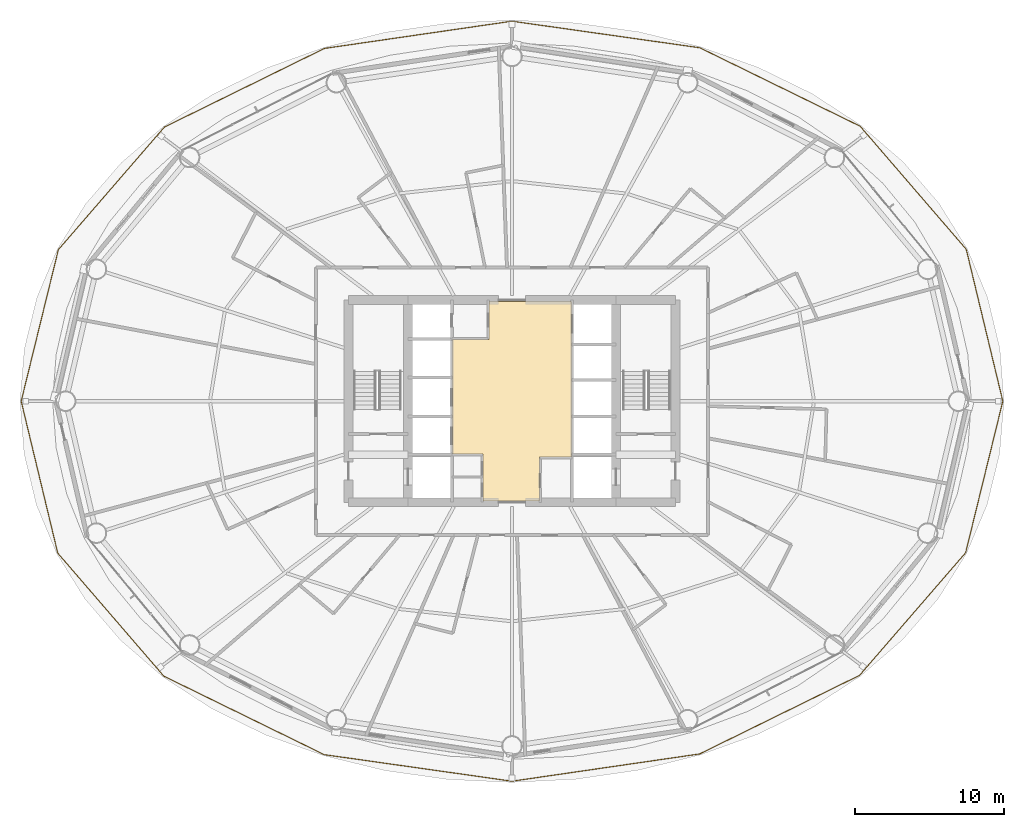
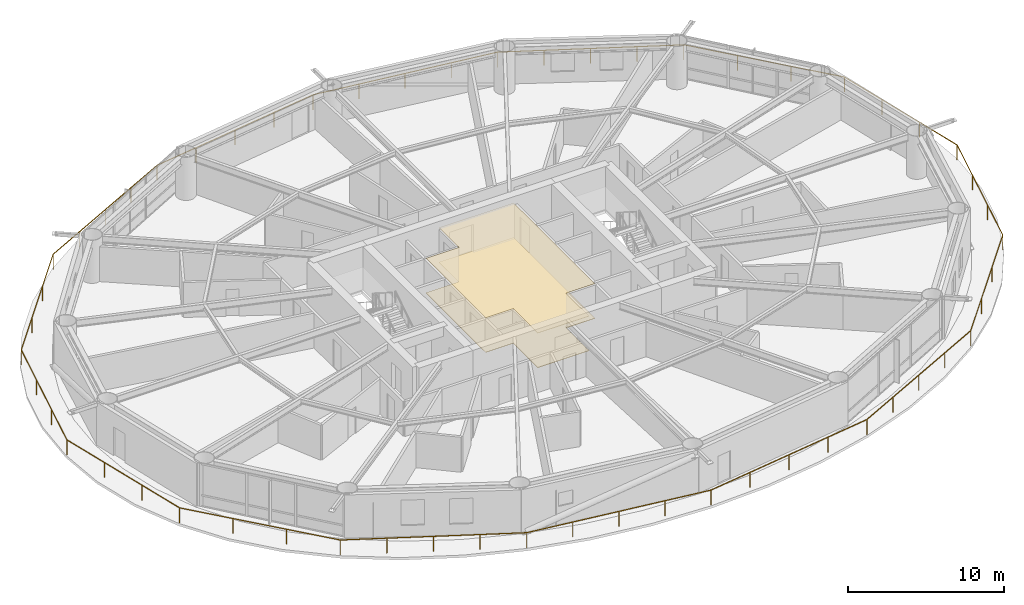
# One storey, part 25 of 26: 2 coverings, 1 railing.
"""IFC4 building model written with IfcOpenShell, lengths in metres."""

from ifc_helpers import new_model, si_unit, direction, frame, origin, origin_2d, place, context, subcontext, project, spatial, polyline, rectangle, outline, extrude, material, layer, layer_set, type_object, element, save


model = new_model("IFC4")

# Units and contexts
model_context = context("Model", 3, precision=1e-05, world=origin(), true_north=direction((0.0, 1.0)))
body_context = subcontext(model_context, "Body", "Model", "MODEL_VIEW")
ifc_project = project(units=[si_unit("LENGTHUNIT", "METRE"), si_unit("AREAUNIT", "SQUARE_METRE"), si_unit("VOLUMEUNIT", "CUBIC_METRE"), si_unit("PLANEANGLEUNIT", "RADIAN"), si_unit("MASSUNIT", "GRAM", prefix="KILO")], contexts=[model_context])

# Site, building, storey
site_placement = place(None, origin())
site = spatial("IfcSite", under=ifc_project, at=site_placement, CompositionType="ELEMENT")
building_placement = place(site_placement, origin())
building = spatial("IfcBuilding", under=site, at=building_placement, Name="Sarneth Arch Tower", CompositionType="ELEMENT")
storey_placement = place(building_placement, frame((0.0, 0.0, 39.0)))
storey = spatial("IfcBuildingStorey", under=building, at=storey_placement, Name="L08", CompositionType="ELEMENT", Elevation=39.0)

# Coverings
ifc_material_1 = material(Name="Perforated acoustic gypsum ceiling board")
ifc_layer_1 = layer(ifc_material_1, 0.02490234375)
ifc_layer_set_1 = layer_set([ifc_layer_1], Name="Perforated acoustic gypsum ceiling board")
covering_type_1 = type_object("IfcCoveringType", Name="COV-CEIL-GYP", PredefinedType="CEILING", material=ifc_layer_set_1)
covering_1_placement = place(storey_placement, frame((0.0, 0.0, 2.7099609375)))
element("IfcCovering", 1, at=covering_1_placement, inside=storey, type_object=covering_type_1, Name="L08 Lift lobby acoustic ceiling", PredefinedType="CEILING", context=body_context, shape_type="SweptSolid", body=[
    extrude(outline(polyline([(49.85009765625, 38.25), (49.85009765625, 35.300048828125), (46.050048828125, 35.300048828125), (46.050048828125, 38.449951171875), (44.0, 38.449951171875), (44.0, 46.14990234375), (46.449951171875, 46.14990234375), (46.449951171875, 48.699951171875), (52.0, 48.699951171875), (52.0, 38.25), (49.85009765625, 38.25)])), origin(), (0.0, 0.0, 1.0), 0.030029296875),
])
ifc_material_2 = material(Name="Honed granite stone flooring", Category="masonry")
ifc_layer_2 = layer(ifc_material_2, 0.030029296875)
ifc_layer_set_2 = layer_set([ifc_layer_2], Name="Honed granite stone flooring")
covering_type_2 = type_object("IfcCoveringType", Name="COV-FLR-STONE", PredefinedType="FLOORING", material=ifc_layer_set_2)
covering_2_placement = place(storey_placement, origin())
element("IfcCovering", 2, at=covering_2_placement, inside=storey, type_object=covering_type_2, Name="L08 Lift lobby granite flooring", PredefinedType="FLOORING", context=body_context, shape_type="SweptSolid", body=[
    extrude(outline(polyline([(49.85009765625, 38.25), (49.85009765625, 35.300048828125), (46.050048828125, 35.300048828125), (46.050048828125, 38.449951171875), (44.0, 38.449951171875), (44.0, 46.14990234375), (46.449951171875, 46.14990234375), (46.449951171875, 48.699951171875), (52.0, 48.699951171875), (52.0, 38.25), (49.85009765625, 38.25)])), origin(), (0.0, 0.0, 1.0), 0.030029296875),
])

# Railing
ifc_material_3 = material(Name="Laminated structural glass infill with Stainless Steel 316 top rail and posts", Category="steel")
railing_type = type_object("IfcRailingType", Name="RAIL-BALC-1200", PredefinedType="BALUSTRADE", material=ifc_material_3)
railing_placement = place(storey_placement, frame((81.02783203125, 42.0, 0.0)))
element("IfcRailing", 3, at=railing_placement, inside=storey, type_object=railing_type, Name="L08 Helical balcony glass balustrade", PredefinedType="BALUSTRADE", context=body_context, shape_type="SweptSolid", body=[
    extrude(rectangle(XDim=0.048095703125, YDim=0.048095703125, at=origin_2d()), frame((0.0, 0.0, 1.17578125), z_axis=(-0.233990419541, 0.972238902515, 0.0), x_axis=(-0.972238902515, -0.233990419541, 0.0)), (0.0, 0.0, 1.0), 10.511962890625),
    extrude(rectangle(XDim=0.048095703125, YDim=0.048095703125, at=origin_2d()), frame((-2.459716796875, 10.22021484375, 1.17578125), z_axis=(-0.652917980572, 0.757428617525, 0.0), x_axis=(-0.757428617525, -0.652917980572, 0.0)), (0.0, 0.0, 1.0), 10.93505859375),
    extrude(rectangle(XDim=0.048095703125, YDim=0.048095703125, at=origin_2d()), frame((-9.599365234375, 18.502685546875, 1.17578125), z_axis=(-0.89821928283, 0.439547631039, 0.0), x_axis=(-0.439547631039, -0.89821928283, 0.0)), (0.0, 0.0, 1.0), 12.012939453125),
    extrude(rectangle(XDim=0.048095703125, YDim=0.048095703125, at=origin_2d()), frame((-20.3896484375, 23.782958984375, 1.17578125), z_axis=(-0.990131141732, 0.140143933769, 0.0), x_axis=(-0.140143933769, -0.990131141732, 0.0)), (0.0, 0.0, 1.0), 12.76416015625),
    extrude(rectangle(XDim=0.048095703125, YDim=0.048095703125, at=origin_2d()), frame((-33.02783203125, 25.57177734375, 1.17578125), z_axis=(-0.989605563062, -0.143808308369, 0.0), x_axis=(0.143808308369, -0.989605563062, 0.0)), (0.0, 0.0, 1.0), 12.75634765625),
    extrude(rectangle(XDim=0.048095703125, YDim=0.048095703125, at=origin_2d()), frame((-45.651611328125, 23.7373046875, 1.17578125), z_axis=(-0.897500047726, -0.441014358418, 0.0), x_axis=(0.441014358418, -0.897500047726, 0.0)), (0.0, 0.0, 1.0), 11.992919921875),
    extrude(rectangle(XDim=0.048095703125, YDim=0.048095703125, at=origin_2d()), frame((-56.415283203125, 18.4482421875, 1.17578125), z_axis=(-0.654282010431, -0.756250653439, 0.0), x_axis=(0.756250653439, -0.654282010431, 0.0)), (0.0, 0.0, 1.0), 10.91064453125),
    extrude(rectangle(XDim=0.048095703125, YDim=0.048095703125, at=origin_2d()), frame((-63.553955078125, 10.197021484375, 1.17578125), z_axis=(-0.238271187543, -0.97119866206, 0.0), x_axis=(0.97119866206, -0.238271187543, 0.0)), (0.0, 0.0, 1.0), 10.49951171875),
    extrude(rectangle(XDim=0.048095703125, YDim=0.048095703125, at=origin_2d()), frame((-66.0556640625, 0.0, 1.17578125), z_axis=(0.233990419541, -0.972238902515, 0.0), x_axis=(0.972238902515, 0.233990419541, 0.0)), (0.0, 0.0, 1.0), 10.511962890625),
    extrude(rectangle(XDim=0.048095703125, YDim=0.048095703125, at=origin_2d()), frame((-63.595947265625, -10.22021484375, 1.17578125), z_axis=(0.652917980572, -0.757428617525, 0.0), x_axis=(0.757428617525, 0.652917980572, 0.0)), (0.0, 0.0, 1.0), 10.93505859375),
    extrude(rectangle(XDim=0.048095703125, YDim=0.048095703125, at=origin_2d()), frame((-56.456298828125, -18.502685546875, 1.17578125), z_axis=(0.89821928283, -0.439547631039, 0.0), x_axis=(0.439547631039, 0.89821928283, 0.0)), (0.0, 0.0, 1.0), 12.012939453125),
    extrude(rectangle(XDim=0.048095703125, YDim=0.048095703125, at=origin_2d()), frame((-45.666015625, -23.782958984375, 1.17578125), z_axis=(0.990131141732, -0.140143933769, 0.0), x_axis=(0.140143933769, 0.990131141732, 0.0)), (0.0, 0.0, 1.0), 12.76416015625),
    extrude(rectangle(XDim=0.048095703125, YDim=0.048095703125, at=origin_2d()), frame((-33.02783203125, -25.57177734375, 1.17578125), z_axis=(0.989605563062, 0.143808308369, 0.0), x_axis=(-0.143808308369, 0.989605563062, 0.0)), (0.0, 0.0, 1.0), 12.75634765625),
    extrude(rectangle(XDim=0.048095703125, YDim=0.048095703125, at=origin_2d()), frame((-20.404052734375, -23.7373046875, 1.17578125), z_axis=(0.897500047726, 0.441014358418, 0.0), x_axis=(-0.441014358418, 0.897500047726, 0.0)), (0.0, 0.0, 1.0), 11.992919921875),
    extrude(rectangle(XDim=0.048095703125, YDim=0.048095703125, at=origin_2d()), frame((-9.640380859375, -18.4482421875, 1.17578125), z_axis=(0.654282010431, 0.756250653439, 0.0), x_axis=(-0.756250653439, 0.654282010431, 0.0)), (0.0, 0.0, 1.0), 10.91064453125),
    extrude(rectangle(XDim=0.048095703125, YDim=0.048095703125, at=origin_2d()), frame((-2.501708984375, -10.197021484375, 1.17578125), z_axis=(0.238271187543, 0.97119866206, 0.0), x_axis=(-0.97119866206, 0.238271187543, 0.0)), (0.0, 0.0, 1.0), 10.49951171875),
    extrude(rectangle(XDim=0.0419921875, YDim=0.0419921875, at=origin_2d()), origin(), (0.0, 0.0, 1.0), 1.15185546875),
    extrude(rectangle(XDim=0.0419921875, YDim=0.0419921875, at=origin_2d()), frame((-0.81982421875, 3.40673828125, 0.0)), (0.0, 0.0, 1.0), 1.15185546875),
    extrude(rectangle(XDim=0.0419921875, YDim=0.0419921875, at=origin_2d()), frame((-1.639892578125, 6.8134765625, 0.0)), (0.0, 0.0, 1.0), 1.15185546875),
    extrude(rectangle(XDim=0.0419921875, YDim=0.0419921875, at=origin_2d()), frame((-2.459716796875, 10.22021484375, 0.0)), (0.0, 0.0, 1.0), 1.15185546875),
    extrude(rectangle(XDim=0.0419921875, YDim=0.0419921875, at=origin_2d()), frame((-4.839599609375, 12.98095703125, 0.0)), (0.0, 0.0, 1.0), 1.15185546875),
    extrude(rectangle(XDim=0.0419921875, YDim=0.0419921875, at=origin_2d()), frame((-7.219482421875, 15.741943359375, 0.0)), (0.0, 0.0, 1.0), 1.15185546875),
    extrude(rectangle(XDim=0.0419921875, YDim=0.0419921875, at=origin_2d()), frame((-9.599365234375, 18.502685546875, 0.0)), (0.0, 0.0, 1.0), 1.15185546875),
    extrude(rectangle(XDim=0.0419921875, YDim=0.0419921875, at=origin_2d()), frame((-12.296875, 19.82275390625, 0.0)), (0.0, 0.0, 1.0), 1.15185546875),
    extrude(rectangle(XDim=0.0419921875, YDim=0.0419921875, at=origin_2d()), frame((-14.99462890625, 21.142822265625, 0.0)), (0.0, 0.0, 1.0), 1.15185546875),
    extrude(rectangle(XDim=0.0419921875, YDim=0.0419921875, at=origin_2d()), frame((-17.692138671875, 22.462890625, 0.0)), (0.0, 0.0, 1.0), 1.15185546875),
    extrude(rectangle(XDim=0.0419921875, YDim=0.0419921875, at=origin_2d()), frame((-20.3896484375, 23.782958984375, 0.0)), (0.0, 0.0, 1.0), 1.15185546875),
    extrude(rectangle(XDim=0.0419921875, YDim=0.0419921875, at=origin_2d()), frame((-23.54931640625, 24.230224609375, 0.0)), (0.0, 0.0, 1.0), 1.15185546875),
    extrude(rectangle(XDim=0.0419921875, YDim=0.0419921875, at=origin_2d()), frame((-26.708740234375, 24.67724609375, 0.0)), (0.0, 0.0, 1.0), 1.15185546875),
    extrude(rectangle(XDim=0.0419921875, YDim=0.0419921875, at=origin_2d()), frame((-29.8681640625, 25.12451171875, 0.0)), (0.0, 0.0, 1.0), 1.15185546875),
    extrude(rectangle(XDim=0.0419921875, YDim=0.0419921875, at=origin_2d()), frame((-33.02783203125, 25.57177734375, 0.0)), (0.0, 0.0, 1.0), 1.15185546875),
    extrude(rectangle(XDim=0.0419921875, YDim=0.0419921875, at=origin_2d()), frame((-36.183837890625, 25.11328125, 0.0)), (0.0, 0.0, 1.0), 1.15185546875),
    extrude(rectangle(XDim=0.0419921875, YDim=0.0419921875, at=origin_2d()), frame((-39.33984375, 24.654541015625, 0.0)), (0.0, 0.0, 1.0), 1.15185546875),
    extrude(rectangle(XDim=0.0419921875, YDim=0.0419921875, at=origin_2d()), frame((-42.49560546875, 24.19580078125, 0.0)), (0.0, 0.0, 1.0), 1.15185546875),
    extrude(rectangle(XDim=0.0419921875, YDim=0.0419921875, at=origin_2d()), frame((-45.651611328125, 23.7373046875, 0.0)), (0.0, 0.0, 1.0), 1.15185546875),
    extrude(rectangle(XDim=0.0419921875, YDim=0.0419921875, at=origin_2d()), frame((-48.342529296875, 22.4150390625, 0.0)), (0.0, 0.0, 1.0), 1.15185546875),
    extrude(rectangle(XDim=0.0419921875, YDim=0.0419921875, at=origin_2d()), frame((-51.033447265625, 21.0927734375, 0.0)), (0.0, 0.0, 1.0), 1.15185546875),
    extrude(rectangle(XDim=0.0419921875, YDim=0.0419921875, at=origin_2d()), frame((-53.724365234375, 19.7705078125, 0.0)), (0.0, 0.0, 1.0), 1.15185546875),
    extrude(rectangle(XDim=0.0419921875, YDim=0.0419921875, at=origin_2d()), frame((-56.415283203125, 18.4482421875, 0.0)), (0.0, 0.0, 1.0), 1.15185546875),
    extrude(rectangle(XDim=0.0419921875, YDim=0.0419921875, at=origin_2d()), frame((-58.794921875, 15.69775390625, 0.0)), (0.0, 0.0, 1.0), 1.15185546875),
    extrude(rectangle(XDim=0.0419921875, YDim=0.0419921875, at=origin_2d()), frame((-61.17431640625, 12.947509765625, 0.0)), (0.0, 0.0, 1.0), 1.15185546875),
    extrude(rectangle(XDim=0.0419921875, YDim=0.0419921875, at=origin_2d()), frame((-63.553955078125, 10.197021484375, 0.0)), (0.0, 0.0, 1.0), 1.15185546875),
    extrude(rectangle(XDim=0.0419921875, YDim=0.0419921875, at=origin_2d()), frame((-64.387939453125, 6.798095703125, 0.0)), (0.0, 0.0, 1.0), 1.15185546875),
    extrude(rectangle(XDim=0.0419921875, YDim=0.0419921875, at=origin_2d()), frame((-65.2216796875, 3.39892578125, 0.0)), (0.0, 0.0, 1.0), 1.15185546875),
    extrude(rectangle(XDim=0.0419921875, YDim=0.0419921875, at=origin_2d()), frame((-66.0556640625, 0.0, 0.0)), (0.0, 0.0, 1.0), 1.15185546875),
    extrude(rectangle(XDim=0.0419921875, YDim=0.0419921875, at=origin_2d()), frame((-65.23583984375, -3.40673828125, 0.0)), (0.0, 0.0, 1.0), 1.15185546875),
    extrude(rectangle(XDim=0.0419921875, YDim=0.0419921875, at=origin_2d()), frame((-64.415771484375, -6.8134765625, 0.0)), (0.0, 0.0, 1.0), 1.15185546875),
    extrude(rectangle(XDim=0.0419921875, YDim=0.0419921875, at=origin_2d()), frame((-63.595947265625, -10.22021484375, 0.0)), (0.0, 0.0, 1.0), 1.15185546875),
    extrude(rectangle(XDim=0.0419921875, YDim=0.0419921875, at=origin_2d()), frame((-61.216064453125, -12.98095703125, 0.0)), (0.0, 0.0, 1.0), 1.15185546875),
    extrude(rectangle(XDim=0.0419921875, YDim=0.0419921875, at=origin_2d()), frame((-58.836181640625, -15.741943359375, 0.0)), (0.0, 0.0, 1.0), 1.15185546875),
    extrude(rectangle(XDim=0.0419921875, YDim=0.0419921875, at=origin_2d()), frame((-56.456298828125, -18.502685546875, 0.0)), (0.0, 0.0, 1.0), 1.15185546875),
    extrude(rectangle(XDim=0.0419921875, YDim=0.0419921875, at=origin_2d()), frame((-53.7587890625, -19.82275390625, 0.0)), (0.0, 0.0, 1.0), 1.15185546875),
    extrude(rectangle(XDim=0.0419921875, YDim=0.0419921875, at=origin_2d()), frame((-51.06103515625, -21.142822265625, 0.0)), (0.0, 0.0, 1.0), 1.15185546875),
    extrude(rectangle(XDim=0.0419921875, YDim=0.0419921875, at=origin_2d()), frame((-48.363525390625, -22.462890625, 0.0)), (0.0, 0.0, 1.0), 1.15185546875),
    extrude(rectangle(XDim=0.0419921875, YDim=0.0419921875, at=origin_2d()), frame((-45.666015625, -23.782958984375, 0.0)), (0.0, 0.0, 1.0), 1.15185546875),
    extrude(rectangle(XDim=0.0419921875, YDim=0.0419921875, at=origin_2d()), frame((-42.50634765625, -24.230224609375, 0.0)), (0.0, 0.0, 1.0), 1.15185546875),
    extrude(rectangle(XDim=0.0419921875, YDim=0.0419921875, at=origin_2d()), frame((-39.346923828125, -24.67724609375, 0.0)), (0.0, 0.0, 1.0), 1.15185546875),
    extrude(rectangle(XDim=0.0419921875, YDim=0.0419921875, at=origin_2d()), frame((-36.1875, -25.12451171875, 0.0)), (0.0, 0.0, 1.0), 1.15185546875),
    extrude(rectangle(XDim=0.0419921875, YDim=0.0419921875, at=origin_2d()), frame((-33.02783203125, -25.57177734375, 0.0)), (0.0, 0.0, 1.0), 1.15185546875),
    extrude(rectangle(XDim=0.0419921875, YDim=0.0419921875, at=origin_2d()), frame((-29.871826171875, -25.11328125, 0.0)), (0.0, 0.0, 1.0), 1.15185546875),
    extrude(rectangle(XDim=0.0419921875, YDim=0.0419921875, at=origin_2d()), frame((-26.7158203125, -24.654541015625, 0.0)), (0.0, 0.0, 1.0), 1.15185546875),
    extrude(rectangle(XDim=0.0419921875, YDim=0.0419921875, at=origin_2d()), frame((-23.56005859375, -24.19580078125, 0.0)), (0.0, 0.0, 1.0), 1.15185546875),
    extrude(rectangle(XDim=0.0419921875, YDim=0.0419921875, at=origin_2d()), frame((-20.404052734375, -23.7373046875, 0.0)), (0.0, 0.0, 1.0), 1.15185546875),
    extrude(rectangle(XDim=0.0419921875, YDim=0.0419921875, at=origin_2d()), frame((-17.713134765625, -22.4150390625, 0.0)), (0.0, 0.0, 1.0), 1.15185546875),
    extrude(rectangle(XDim=0.0419921875, YDim=0.0419921875, at=origin_2d()), frame((-15.022216796875, -21.0927734375, 0.0)), (0.0, 0.0, 1.0), 1.15185546875),
    extrude(rectangle(XDim=0.0419921875, YDim=0.0419921875, at=origin_2d()), frame((-12.331298828125, -19.7705078125, 0.0)), (0.0, 0.0, 1.0), 1.15185546875),
    extrude(rectangle(XDim=0.0419921875, YDim=0.0419921875, at=origin_2d()), frame((-9.640380859375, -18.4482421875, 0.0)), (0.0, 0.0, 1.0), 1.15185546875),
    extrude(rectangle(XDim=0.0419921875, YDim=0.0419921875, at=origin_2d()), frame((-7.2607421875, -15.69775390625, 0.0)), (0.0, 0.0, 1.0), 1.15185546875),
    extrude(rectangle(XDim=0.0419921875, YDim=0.0419921875, at=origin_2d()), frame((-4.88134765625, -12.947509765625, 0.0)), (0.0, 0.0, 1.0), 1.15185546875),
    extrude(rectangle(XDim=0.0419921875, YDim=0.0419921875, at=origin_2d()), frame((-2.501708984375, -10.197021484375, 0.0)), (0.0, 0.0, 1.0), 1.15185546875),
    extrude(rectangle(XDim=0.0419921875, YDim=0.0419921875, at=origin_2d()), frame((-1.667724609375, -6.798095703125, 0.0)), (0.0, 0.0, 1.0), 1.15185546875),
    extrude(rectangle(XDim=0.0419921875, YDim=0.0419921875, at=origin_2d()), frame((-0.833984375, -3.39892578125, 0.0)), (0.0, 0.0, 1.0), 1.15185546875),
])

save(model, "model.ifc")
